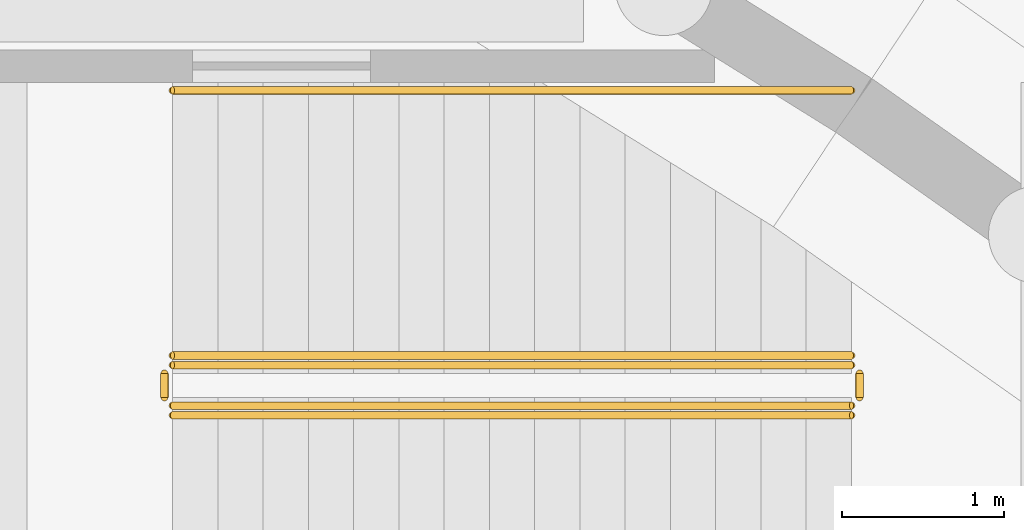
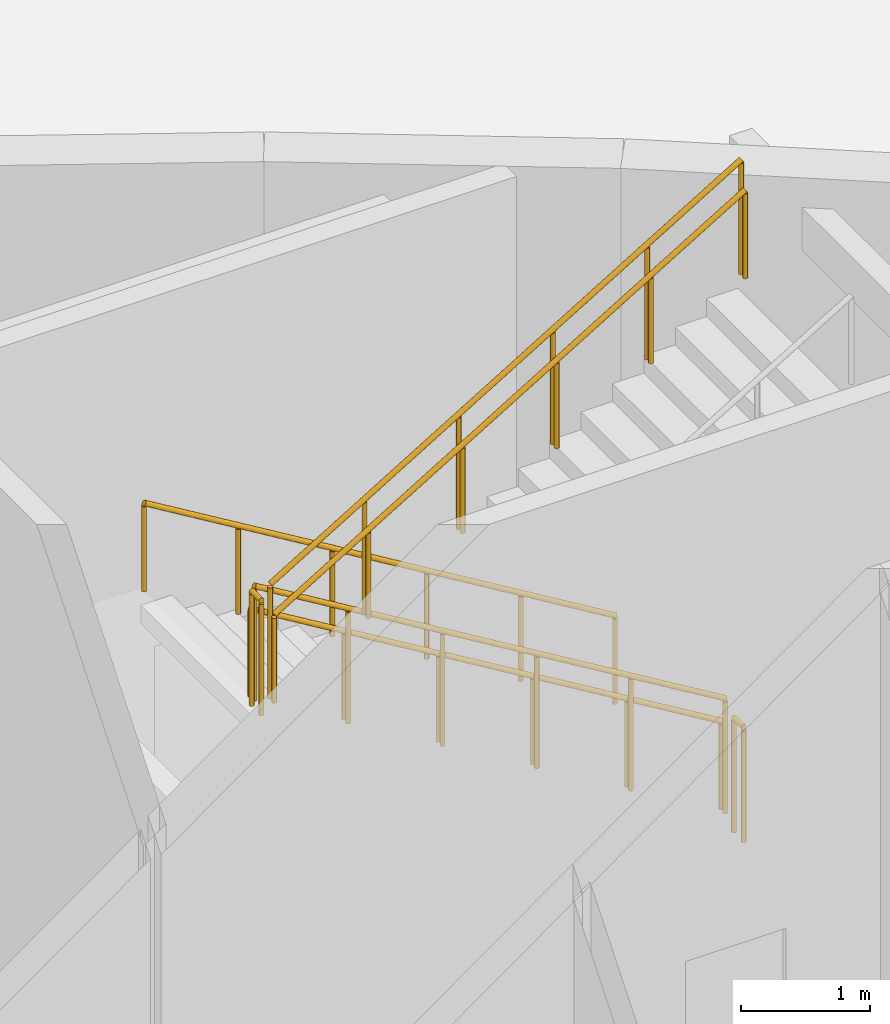
# One storey, part 81 of 82: 7 railings.
"""IFC4 building model written with IfcOpenShell, lengths in metres."""

from ifc_helpers import new_model, si_unit, direction, frame, origin, origin_2d, place, context, subcontext, project, spatial, circle, extrude, material, type_object, element, save


model = new_model("IFC4")

# Units and contexts
model_context = context("Model", 3, precision=1e-05, world=origin(), true_north=direction((0.0, 1.0)))
body_context = subcontext(model_context, "Body", "Model", "MODEL_VIEW")
ifc_project = project(units=[si_unit("LENGTHUNIT", "METRE"), si_unit("AREAUNIT", "SQUARE_METRE"), si_unit("VOLUMEUNIT", "CUBIC_METRE"), si_unit("PLANEANGLEUNIT", "RADIAN"), si_unit("MASSUNIT", "GRAM", prefix="KILO")], contexts=[model_context])

# Site, building, storey
site_placement = place(None, origin())
site = spatial("IfcSite", under=ifc_project, at=site_placement, CompositionType="ELEMENT")
building_placement = place(site_placement, origin())
building = spatial("IfcBuilding", under=site, at=building_placement, Name="Tide Square Theatres", CompositionType="ELEMENT")
storey_placement = place(building_placement, origin())
storey = spatial("IfcBuildingStorey", under=building, at=storey_placement, Name="L00", CompositionType="ELEMENT", Elevation=0.0)

# Railings
ifc_material_1 = material(Name="Painted steel", Category="steel")
railing_type_1 = type_object("IfcRailingType", Name="Steel guard 1100", PredefinedType="GUARDRAIL", material=ifc_material_1)
railing_1_placement = place(storey_placement, frame((156.39990234375, 100.800048828125, 0.168701171875)))
element("IfcRailing", 1, at=railing_1_placement, inside=storey, type_object=railing_type_1, Name="L00 RST-2 stair guard 1", PredefinedType="GUARDRAIL", context=body_context, shape_type="SweptSolid", body=[
    extrude(circle(Radius=0.02392578125, at=origin_2d()), frame((0.0, 0.0, 1.076171875), z_axis=(-0.856476492594, 0.0, 0.516186030065), x_axis=(0.0, -1.0, 0.0)), (0.0, 0.0, 1.0), 4.90380859375),
    extrude(circle(Radius=0.02099609375, at=origin_2d()), origin(), (0.0, 0.0, 1.0), 1.052001953125),
    extrude(circle(Radius=0.02099609375, at=origin_2d()), frame((-0.840087890625, 0.0, 0.50634765625)), (0.0, 0.0, 1.0), 1.052001953125),
    extrude(circle(Radius=0.02099609375, at=origin_2d()), frame((-1.679931640625, 0.0, 1.012451171875)), (0.0, 0.0, 1.0), 1.052001953125),
    extrude(circle(Radius=0.02099609375, at=origin_2d()), frame((-2.52001953125, 0.0, 1.518798828125)), (0.0, 0.0, 1.0), 1.052001953125),
    extrude(circle(Radius=0.02099609375, at=origin_2d()), frame((-3.35986328125, 0.0, 2.02490234375)), (0.0, 0.0, 1.0), 1.052001953125),
    extrude(circle(Radius=0.02099609375, at=origin_2d()), frame((-4.199951171875, 0.0, 2.53125)), (0.0, 0.0, 1.0), 1.052001953125),
])
railing_2_placement = place(storey_placement, frame((152.14990234375, 100.75, 2.699951171875)))
element("IfcRailing", 2, at=railing_2_placement, inside=storey, type_object=railing_type_1, Name="L00 RST-2 stair guard 2", PredefinedType="GUARDRAIL", context=body_context, shape_type="SweptSolid", body=[
    extrude(circle(Radius=0.02392578125, at=origin_2d()), frame((0.0, 0.0, 1.076171875), z_axis=(0.0, -1.0, 0.0), x_axis=(1.0, 0.0, 0.0)), (0.0, 0.0, 1.0), 0.14990234375),
    extrude(circle(Radius=0.02099609375, at=origin_2d()), origin(), (0.0, 0.0, 1.0), 1.052001953125),
    extrude(circle(Radius=0.02099609375, at=origin_2d()), frame((0.0, -0.14990234375, 0.0)), (0.0, 0.0, 1.0), 1.052001953125),
])
railing_3_placement = place(storey_placement, frame((152.199951171875, 100.550048828125, 2.86865234375)))
element("IfcRailing", 3, at=railing_3_placement, inside=storey, type_object=railing_type_1, Name="L00 RST-2 stair guard 3", PredefinedType="GUARDRAIL", context=body_context, shape_type="SweptSolid", body=[
    extrude(circle(Radius=0.02392578125, at=origin_2d()), frame((0.0, 0.0, 1.076171875), z_axis=(0.856476492594, 0.0, 0.516186030065), x_axis=(0.0, 1.0, 0.0)), (0.0, 0.0, 1.0), 4.90380859375),
    extrude(circle(Radius=0.02099609375, at=origin_2d()), origin(), (0.0, 0.0, 1.0), 1.052001953125),
    extrude(circle(Radius=0.02099609375, at=origin_2d()), frame((0.840087890625, 0.0, 0.50634765625)), (0.0, 0.0, 1.0), 1.052001953125),
    extrude(circle(Radius=0.02099609375, at=origin_2d()), frame((1.679931640625, 0.0, 1.012451171875)), (0.0, 0.0, 1.0), 1.052001953125),
    extrude(circle(Radius=0.02099609375, at=origin_2d()), frame((2.52001953125, 0.0, 1.518798828125)), (0.0, 0.0, 1.0), 1.052001953125),
    extrude(circle(Radius=0.02099609375, at=origin_2d()), frame((3.35986328125, 0.0, 2.02490234375)), (0.0, 0.0, 1.0), 1.052001953125),
    extrude(circle(Radius=0.02099609375, at=origin_2d()), frame((4.199951171875, 0.0, 2.53125)), (0.0, 0.0, 1.0), 1.052001953125),
])
railing_4_placement = place(storey_placement, frame((156.449951171875, 100.75, 0.0)))
element("IfcRailing", 4, at=railing_4_placement, inside=storey, type_object=railing_type_1, Name="L00 RST-2 stair guard 4", PredefinedType="GUARDRAIL", context=body_context, shape_type="SweptSolid", body=[
    extrude(circle(Radius=0.02392578125, at=origin_2d()), frame((0.0, 0.0, 1.076171875), z_axis=(0.0, -1.0, 0.0), x_axis=(1.0, 0.0, 0.0)), (0.0, 0.0, 1.0), 0.14990234375),
    extrude(circle(Radius=0.02099609375, at=origin_2d()), origin(), (0.0, 0.0, 1.0), 1.052001953125),
    extrude(circle(Radius=0.02099609375, at=origin_2d()), frame((0.0, -0.14990234375, 0.0)), (0.0, 0.0, 1.0), 1.052001953125),
])
ifc_material_2 = material(Name="Painted steel", Category="steel")
railing_type_2 = type_object("IfcRailingType", Name="Steel handrail 850", PredefinedType="HANDRAIL", material=ifc_material_2)
for number, where, name in (
    (5, (156.39990234375, 102.5, 0.168701171875), "L00 RST-2 stair handrail 1"),
    (6, (156.39990234375, 100.860107421875, 0.168701171875), "L00 RST-2 stair handrail 2"),
):
    element("IfcRailing", number, at=place(storey_placement, frame(where)), inside=storey, type_object=railing_type_2, Name=name, PredefinedType="HANDRAIL", context=body_context, shape_type="SweptSolid", body=[
        extrude(circle(Radius=0.02392578125, at=origin_2d()), frame((0.0, 0.0, 0.826171875), z_axis=(-0.856476492594, 0.0, 0.516186030065), x_axis=(0.0, -1.0, 0.0)), (0.0, 0.0, 1.0), 4.90380859375),
        extrude(circle(Radius=0.02099609375, at=origin_2d()), origin(), (0.0, 0.0, 1.0), 0.802001953125),
        extrude(circle(Radius=0.02099609375, at=origin_2d()), frame((-0.840087890625, 0.0, 0.50634765625)), (0.0, 0.0, 1.0), 0.802001953125),
        extrude(circle(Radius=0.02099609375, at=origin_2d()), frame((-1.679931640625, 0.0, 1.012451171875)), (0.0, 0.0, 1.0), 0.802001953125),
        extrude(circle(Radius=0.02099609375, at=origin_2d()), frame((-2.52001953125, 0.0, 1.518798828125)), (0.0, 0.0, 1.0), 0.802001953125),
        extrude(circle(Radius=0.02099609375, at=origin_2d()), frame((-3.35986328125, 0.0, 2.02490234375)), (0.0, 0.0, 1.0), 0.802001953125),
        extrude(circle(Radius=0.02099609375, at=origin_2d()), frame((-4.199951171875, 0.0, 2.53125)), (0.0, 0.0, 1.0), 0.802001953125),
    ])
railing_5_placement = place(storey_placement, frame((152.199951171875, 100.489990234375, 2.86865234375)))
element("IfcRailing", 7, at=railing_5_placement, inside=storey, type_object=railing_type_2, Name="L00 RST-2 stair handrail 4", PredefinedType="HANDRAIL", context=body_context, shape_type="SweptSolid", body=[
    extrude(circle(Radius=0.02392578125, at=origin_2d()), frame((0.0, 0.0, 0.826171875), z_axis=(0.856476492594, 0.0, 0.516186030065), x_axis=(0.0, 1.0, 0.0)), (0.0, 0.0, 1.0), 4.90380859375),
    extrude(circle(Radius=0.02099609375, at=origin_2d()), origin(), (0.0, 0.0, 1.0), 0.802001953125),
    extrude(circle(Radius=0.02099609375, at=origin_2d()), frame((0.840087890625, 0.0, 0.50634765625)), (0.0, 0.0, 1.0), 0.802001953125),
    extrude(circle(Radius=0.02099609375, at=origin_2d()), frame((1.679931640625, 0.0, 1.012451171875)), (0.0, 0.0, 1.0), 0.802001953125),
    extrude(circle(Radius=0.02099609375, at=origin_2d()), frame((2.52001953125, 0.0, 1.518798828125)), (0.0, 0.0, 1.0), 0.802001953125),
    extrude(circle(Radius=0.02099609375, at=origin_2d()), frame((3.35986328125, 0.0, 2.02490234375)), (0.0, 0.0, 1.0), 0.802001953125),
    extrude(circle(Radius=0.02099609375, at=origin_2d()), frame((4.199951171875, 0.0, 2.53125)), (0.0, 0.0, 1.0), 0.802001953125),
])

save(model, "model.ifc")
